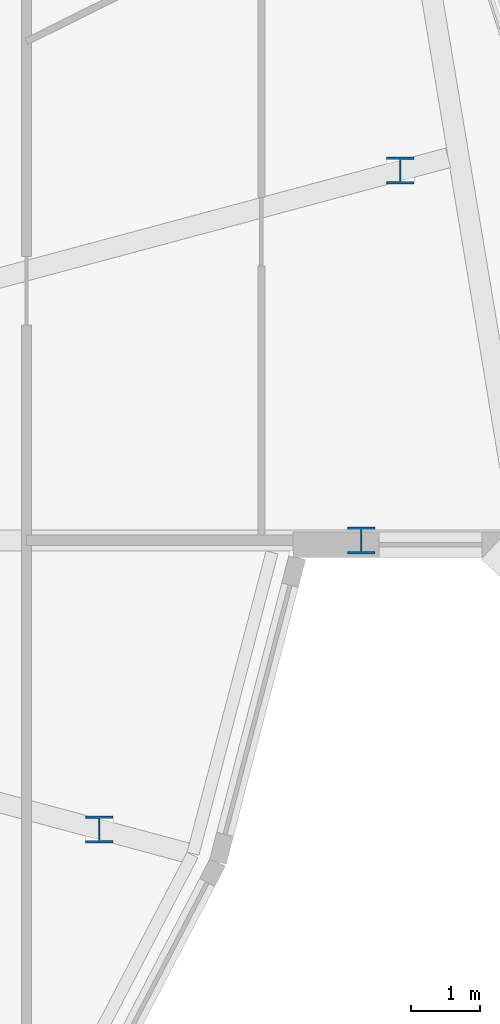
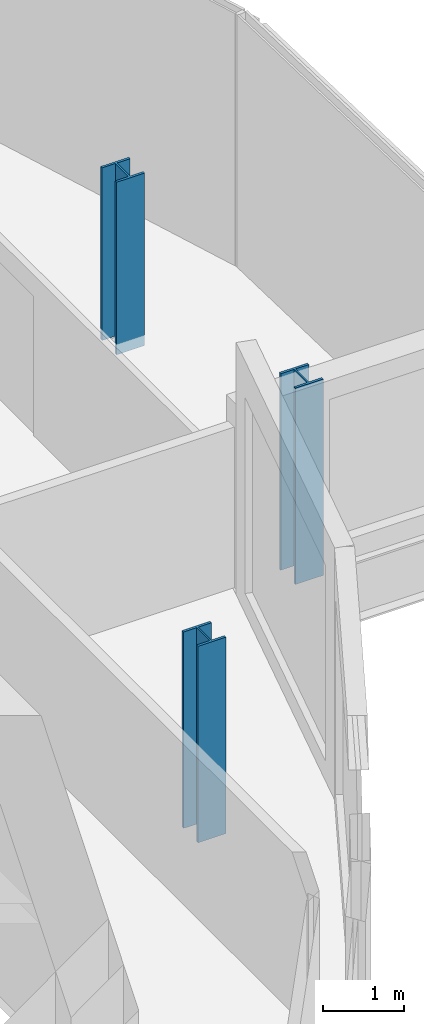
# One storey, part 2 of 39: 3 columns.
"""IFC4 building model written with IfcOpenShell, lengths in metres."""

from ifc_helpers import new_model, si_unit, direction, frame, origin, origin_2d, place, context, subcontext, project, spatial, i_section, extrude, material, material_profile, profile_set, type_object, element, save


model = new_model("IFC4")

# Units and contexts
model_context = context("Model", 3, precision=1e-05, world=origin(), true_north=direction((0.0, 1.0)))
body_context = subcontext(model_context, "Body", "Model", "MODEL_VIEW")
ifc_project = project(units=[si_unit("LENGTHUNIT", "METRE"), si_unit("AREAUNIT", "SQUARE_METRE"), si_unit("VOLUMEUNIT", "CUBIC_METRE"), si_unit("PLANEANGLEUNIT", "RADIAN"), si_unit("MASSUNIT", "GRAM", prefix="KILO")], contexts=[model_context])

# Site, building, storey
site_placement = place(None, origin())
site = spatial("IfcSite", under=ifc_project, at=site_placement, CompositionType="ELEMENT")
building_placement = place(site_placement, origin())
building = spatial("IfcBuilding", under=site, at=building_placement, Name="Rimbun Link Towers", CompositionType="ELEMENT")
storey_placement = place(building_placement, frame((0.0, 0.0, 100.60009765625)))
storey = spatial("IfcBuildingStorey", under=building, at=storey_placement, Name="L24", CompositionType="ELEMENT", Elevation=100.60009765625)

# Columns
ifc_material = material(Name="Steel S355J2", Category="steel")
ifc_material_profile = material_profile(ifc_material, i_section(OverallWidth=0.39892578125, OverallDepth=0.3935546875, WebThickness=0.022705078125, FlangeThickness=0.03662109375, at=origin_2d()), Name="UC 356x406x287")
ifc_profile_set = profile_set([ifc_material_profile], Name="Steel S355J2")
column_type = type_object("IfcColumnType", Name="UC 356x406x287", PredefinedType="COLUMN", material=ifc_profile_set)
for number, where, z_axis, x_axis, name in (
    (1, (47.4599609375, -4.20947265625, -0.16015625), (0.0, 0.0, 1.0), (1.0, 0.0, 0.0), "Crease post T2 L24 20"),
    (2, (51.2763671875, 0.0, -0.16015625), (0.0, 0.0, 1.0), (1.0, 0.0, 0.0), "Crease post T2 L24 21"),
):
    element("IfcColumn", number, at=place(storey_placement, frame(where, z_axis=z_axis, x_axis=x_axis)), inside=storey, type_object=column_type, Name=name, PredefinedType="COLUMN", context=body_context, shape_type="SweptSolid", body=[
        extrude(i_section(OverallWidth=0.39892578125, OverallDepth=0.3935546875, WebThickness=0.022705078125, FlangeThickness=0.03662109375, at=origin_2d()), origin(), (0.0, 0.0, 1.0), 2.95947265625),
    ])
column_placement = place(storey_placement, frame((51.840087890625, 5.38330078125, -0.16015625), z_axis=(0.0, 0.0, 1.0), x_axis=(1.0, 0.0, 0.0)))
element("IfcColumn", 3, at=column_placement, inside=storey, type_object=column_type, Name="Crease post T2 L24 22", PredefinedType="COLUMN", context=body_context, shape_type="SweptSolid", body=[
    extrude(i_section(OverallWidth=0.39892578125, OverallDepth=0.3935546875, WebThickness=0.022705078125, FlangeThickness=0.03662109375, at=origin_2d()), origin(), (0.0, 0.0, 1.0), 2.60009765625),
])

save(model, "model.ifc")
